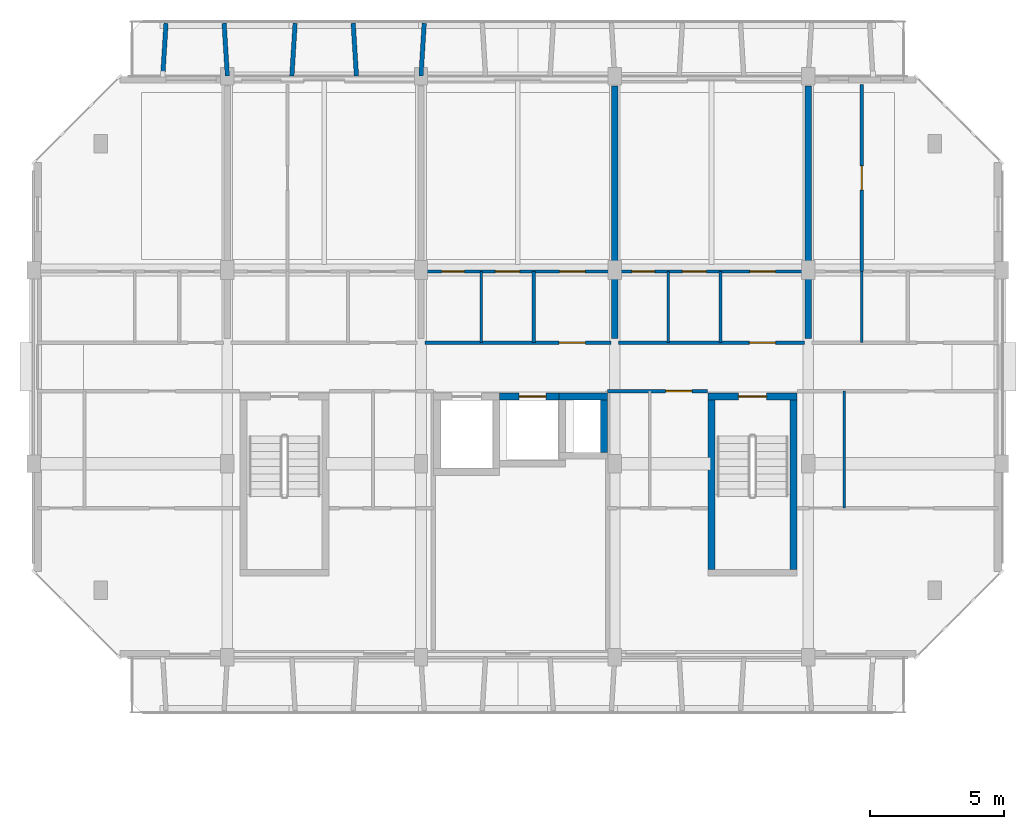
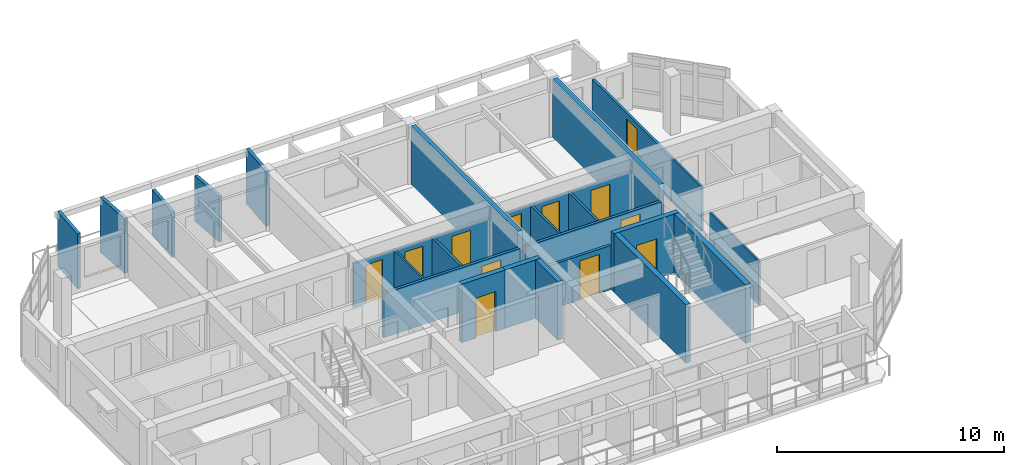
# One storey, part 19 of 43: 25 walls, 12 doors, 12 openings.
"""IFC4 building model written with IfcOpenShell, lengths in metres."""

import ifcopenshell
import ifcopenshell.guid

model = None  # the IFC model being written
_history = None  # IfcOwnerHistory: only IFC2X3 demands one
_inside = {}  # id of a spatial element -> (the spatial element, [elements in it])
_under = {}  # id of a project, library or spatial element -> (it, [spatial elements below it])
_declared = {}  # id of a project -> (the project, [libraries it declares])
_typed = {}  # id of a type object -> (the type object, [elements of that type])
_made_of = {}  # id of a material, layer set ... -> (it, [elements and type objects made of it])


def new_model(schema):
    """Start an empty IFC model of exactly this schema.

    Asked for "IFC4X3", IfcOpenShell would pick the latest addendum, in which some entities
    have other attributes; the version numbers below select the first issue.
    IFC2X3 requires an IfcOwnerHistory on every rooted entity: one is made here for all.
    """
    global model, _history
    if schema == "IFC4X3":
        model = ifcopenshell.file(schema_version=(4, 3, 0, 0))
    else:
        model = ifcopenshell.file(schema=schema)
    _inside.clear()
    _under.clear()
    _declared.clear()
    _typed.clear()
    _made_of.clear()
    _history = None
    if model.schema == "IFC2X3":
        org = make("IfcOrganization", Name="unknown")
        user = make(
            "IfcPersonAndOrganization",
            ThePerson=make("IfcPerson", FamilyName="unknown"),
            TheOrganization=org,
        )
        app = make(
            "IfcApplication",
            ApplicationDeveloper=org,
            Version="unknown",
            ApplicationFullName="unknown",
            ApplicationIdentifier="unknown",
        )
        _history = make(
            "IfcOwnerHistory",
            OwningUser=user,
            OwningApplication=app,
            ChangeAction="ADDED",
            CreationDate=0,
        )
    return model


def make(cls, **values):
    """One entity of the class cls with the attributes given. An attribute that is None is left unset."""
    return model.create_entity(
        cls, **{name: value for name, value in values.items() if value is not None}
    )


def rooted(cls, **values):
    """An entity with a GlobalId (a new one), such as an element, a storey or a relation."""
    return make(cls, GlobalId=ifcopenshell.guid.new(), OwnerHistory=_history, **values)


def si_unit(unit_type, name, prefix=None):
    """IfcSIUnit, for example si_unit("LENGTHUNIT", "METRE", prefix="MILLI")."""
    return make("IfcSIUnit", UnitType=unit_type, Prefix=prefix, Name=name)


def assignment(units):
    """IfcUnitAssignment: the units of a project."""
    return None if units is None else make("IfcUnitAssignment", Units=units)


def point(xyz):
    """IfcCartesianPoint."""
    return None if xyz is None else make("IfcCartesianPoint", Coordinates=xyz)


def direction(xyz):
    """IfcDirection."""
    return None if xyz is None else make("IfcDirection", DirectionRatios=xyz)


def frame(location, z_axis=None, x_axis=None):
    """IfcAxis2Placement3D, a coordinate frame: its origin and axes. An axis left out is left unset."""
    return make(
        "IfcAxis2Placement3D",
        Location=point(location),
        Axis=direction(z_axis),
        RefDirection=direction(x_axis),
    )


def frame_2d(location, x_axis=None):
    """IfcAxis2Placement2D, a coordinate frame in the plane: its origin and x axis."""
    return make(
        "IfcAxis2Placement2D", Location=point(location), RefDirection=direction(x_axis)
    )


def origin():
    """The frame at (0, 0, 0) with its axes left unset."""
    return frame((0.0, 0.0, 0.0))


def place(relative_to, where):
    """IfcLocalPlacement: puts the frame where relative to a parent placement (None: the world)."""
    return make(
        "IfcLocalPlacement", PlacementRelTo=relative_to, RelativePlacement=where
    )


def context(
    kind, dimensions, precision=None, world=None, true_north=None, identifier=None
):
    """IfcGeometricRepresentationContext, for example the 3D "Model" context."""
    return make(
        "IfcGeometricRepresentationContext",
        ContextIdentifier=identifier,
        ContextType=kind,
        CoordinateSpaceDimension=dimensions,
        Precision=precision,
        WorldCoordinateSystem=world,
        TrueNorth=true_north,
    )


def subcontext(parent, identifier, kind, view, scale=None):
    """IfcGeometricRepresentationSubContext, for example "Body" below "Model"."""
    return make(
        "IfcGeometricRepresentationSubContext",
        ContextIdentifier=identifier,
        ContextType=kind,
        ParentContext=parent,
        TargetScale=scale,
        TargetView=view,
    )


def project(units=None, contexts=None):
    """IfcProject with its units and contexts."""
    return rooted(
        "IfcProject",
        Name="project",
        RepresentationContexts=contexts,
        UnitsInContext=assignment(units),
    )


def spatial(cls, under=None, at=None, **own):
    """A site, building, storey or space (cls), placed at a placement, below another one or the project."""
    s = rooted(cls, ObjectPlacement=at, **own)
    if under is not None:
        _under.setdefault(under.id(), (under, []))[1].append(s)
    return s


def profile(cls, at=None, kind="AREA", **sizes):
    """A parametric profile (cls). Its sizes go by their IFC names, for example OverallWidth=200.0."""
    return make(cls, ProfileType=kind, Position=at, **sizes)


def rectangle(**sizes):
    """IfcRectangleProfileDef."""
    return profile("IfcRectangleProfileDef", **sizes)


def extrude(swept, where, along, depth):
    """IfcExtrudedAreaSolid: the profile swept, set in the frame where, extruded along a direction by depth."""
    return make(
        "IfcExtrudedAreaSolid",
        SweptArea=swept,
        Position=where,
        ExtrudedDirection=direction(along),
        Depth=depth,
    )


def shape(context_of_items, identifier, shape_type, items):
    """IfcShapeRepresentation: the items that make up one representation, for example the "Body"."""
    return make(
        "IfcShapeRepresentation",
        ContextOfItems=context_of_items,
        RepresentationIdentifier=identifier,
        RepresentationType=shape_type,
        Items=items,
    )


def material(Name=None, Category=None):
    """IfcMaterial."""
    return make("IfcMaterial", Name=Name, Category=Category)


def layer(
    of_material, thickness, ventilated=None, Name=None, Category=None, Priority=None
):
    """IfcMaterialLayer: one layer of a wall or slab, of a material (None: an air gap)."""
    return make(
        "IfcMaterialLayer",
        Material=of_material,
        LayerThickness=thickness,
        IsVentilated=ventilated,
        Name=Name,
        Category=Category,
        Priority=Priority,
    )


def layer_set(layers, Name=None):
    """IfcMaterialLayerSet."""
    return make("IfcMaterialLayerSet", MaterialLayers=layers, LayerSetName=Name)


def made_of(thing, what):
    """Note that an element or type object is made of a material, layer set ...; save() writes the relation."""
    if what is not None:
        _made_of.setdefault(what.id(), (what, []))[1].append(thing)
    return thing


def type_object(cls, material=None, **own):
    """A type object (cls), such as IfcWallType, which elements share."""
    return made_of(rooted(cls, **own), material)


def element(
    cls,
    number,
    at=None,
    inside=None,
    cuts=None,
    type_object=None,
    material=None,
    context=None,
    identifier="Body",
    shape_type=None,
    held_by="IfcProductDefinitionShape",
    body=None,
    shapes=None,
    **own,
):
    """One element of the class cls, such as IfcWall. Its Tag is "e" and its number.

    at: its placement. inside: the storey or other place that contains it. cuts: it is an
    opening in that element (IfcRelVoidsElement). A single representation is given by context,
    identifier, shape_type and body (its items); several are given by shapes. held_by: the class
    of the entity that holds the representations. save() writes the other relations.
    """
    e = rooted(cls, Tag="e%d" % number, ObjectPlacement=at, **own)
    if body is not None:
        shapes = [shape(context, identifier, shape_type, body)]
    if shapes is not None:
        e.Representation = make(held_by, Representations=shapes)
    if inside is not None:
        _inside.setdefault(inside.id(), (inside, []))[1].append(e)
    if cuts is not None:
        rooted(
            "IfcRelVoidsElement", RelatingBuildingElement=cuts, RelatedOpeningElement=e
        )
    if type_object is not None:
        _typed.setdefault(type_object.id(), (type_object, []))[1].append(e)
    return made_of(e, material)


def fill(opening, filler):
    """IfcRelFillsElement: the door or window that sits in an opening."""
    return rooted(
        "IfcRelFillsElement",
        RelatingOpeningElement=opening,
        RelatedBuildingElement=filler,
    )


def aggregate(whole, parts):
    """IfcRelAggregates: a whole, such as a stair, and the parts it consists of."""
    return rooted("IfcRelAggregates", RelatingObject=whole, RelatedObjects=parts)


def save(model, path):
    """Write the relations noted so far, then the file.

    IfcRelAggregates (storeys below a building ...), IfcRelContainedInSpatialStructure (elements
    in a storey), IfcRelDefinesByType, IfcRelAssociatesMaterial and IfcRelDeclares: one each for
    every whole, place, type object, material and project.
    """
    for whole, parts in _under.values():
        aggregate(whole, parts)
    for where, things in _inside.values():
        rooted(
            "IfcRelContainedInSpatialStructure",
            RelatedElements=things,
            RelatingStructure=where,
        )
    for kind, things in _typed.values():
        rooted("IfcRelDefinesByType", RelatedObjects=things, RelatingType=kind)
    for what, things in _made_of.values():
        rooted("IfcRelAssociatesMaterial", RelatedObjects=things, RelatingMaterial=what)
    for by, libraries in _declared.values():
        rooted("IfcRelDeclares", RelatingContext=by, RelatedDefinitions=libraries)
    model.write(path)


model = new_model("IFC4")

# Units and contexts
model_context = context("Model", 3, precision=1e-05, world=origin(), true_north=direction((0.0, 1.0)))
body_context = subcontext(model_context, "Body", "Model", "MODEL_VIEW")
ifc_project = project(units=[si_unit("LENGTHUNIT", "METRE"), si_unit("AREAUNIT", "SQUARE_METRE"), si_unit("VOLUMEUNIT", "CUBIC_METRE"), si_unit("PLANEANGLEUNIT", "RADIAN"), si_unit("MASSUNIT", "GRAM", prefix="KILO")], contexts=[model_context])

# Site, building, storey
site_placement = place(None, origin())
site = spatial("IfcSite", under=ifc_project, at=site_placement, CompositionType="ELEMENT")
building_placement = place(site_placement, origin())
building = spatial("IfcBuilding", under=site, at=building_placement, Name="Ochrevale Crest", CompositionType="ELEMENT")
storey_placement = place(building_placement, frame((0.0, 0.0, 15.0)))
storey = spatial("IfcBuildingStorey", under=building, at=storey_placement, Name="L04", CompositionType="ELEMENT", Elevation=15.0)

# Wall, opening, door
ifc_material_1 = material(Name="Gypsum plasterboard", Category="gypsum")
ifc_layer_1 = layer(ifc_material_1, 0.139892578125)
ifc_layer_set_1 = layer_set([ifc_layer_1], Name="Gypsum plasterboard")
wall_type_1 = type_object("IfcWallType", Name="WL-COR-140", PredefinedType="PARTITIONING", material=ifc_layer_set_1)
wall_1_placement = place(storey_placement, frame((14.5400390625, 83.699951171875, 0.0), z_axis=(0.0, 0.0, 1.0), x_axis=(1.0, 0.0, 0.0)))
wall_1 = element("IfcWall", 1, at=wall_1_placement, inside=storey, type_object=wall_type_1, Name="Apartment B-L04-U3 corridor wall", PredefinedType="PARTITIONING", context=body_context, shape_type="SweptSolid", body=[
    extrude(rectangle(XDim=6.919921875, YDim=0.139892578125, at=frame_2d((3.4599609375, 0.0))), origin(), (0.0, 0.0, 1.0), 2.3798828125),
])
opening_1_placement = place(wall_1_placement, frame((5.97509765625, 0.0, 0.0), z_axis=(0.0, 0.0, 1.0), x_axis=(-1.0, 0.0, 0.0)))
opening_1 = element("IfcOpeningElement", 2, at=opening_1_placement, cuts=wall_1, Name="Opening FD01", PredefinedType="OPENING", context=body_context, shape_type="SweptSolid", body=[
    extrude(rectangle(XDim=0.97998046875, YDim=2.10009765625, at=frame_2d((0.489990234375, 1.050048828125))), frame((0.0, 0.080078125, 0.0), z_axis=(0.0, -1.0, 0.0), x_axis=(1.0, 0.0, 0.0)), (0.0, 0.0, 1.0), 0.159912109375),
])
ifc_material_2 = material(Name="Solid-core FSC hardwood", Category="wood")
door_type_1 = type_object("IfcDoorType", Name="DR-APT-950", OperationType="NOTDEFINED", PredefinedType="DOOR", material=ifc_material_2)
door_1_placement = place(opening_1_placement, origin())
door_1 = element("IfcDoor", 3, at=door_1_placement, inside=storey, type_object=door_type_1, Name="Apartment B-L04-U3 entrance door", OperationType="SINGLE_SWING_RIGHT", OverallHeight=2.10009765625, OverallWidth=0.97998046875, PredefinedType="DOOR", context=body_context, shape_type="SweptSolid", body=[
    extrude(rectangle(XDim=0.97998046875, YDim=2.10009765625, at=frame_2d((0.489990234375, 1.050048828125))), frame((0.0, 0.02490234375, 0.0), z_axis=(0.0, -1.0, 0.0), x_axis=(1.0, 0.0, 0.0)), (0.0, 0.0, 1.0), 0.050048828125),
])
fill(opening_1, door_1)

wall_2_placement = place(storey_placement, frame((21.739990234375, 83.699951171875, 0.0), z_axis=(0.0, 0.0, 1.0), x_axis=(1.0, 0.0, 0.0)))
wall_2 = element("IfcWall", 4, at=wall_2_placement, inside=storey, type_object=wall_type_1, Name="Apartment B-L04-U4 corridor wall", PredefinedType="PARTITIONING", context=body_context, shape_type="SweptSolid", body=[
    extrude(rectangle(XDim=6.919921875, YDim=0.139892578125, at=frame_2d((3.4599609375, 0.0))), origin(), (0.0, 0.0, 1.0), 2.3798828125),
])
opening_2_placement = place(wall_2_placement, frame((5.85009765625, 0.0, 0.0), z_axis=(0.0, 0.0, 1.0), x_axis=(-1.0, 0.0, 0.0)))
opening_2 = element("IfcOpeningElement", 5, at=opening_2_placement, cuts=wall_2, Name="Opening FD01", PredefinedType="OPENING", context=body_context, shape_type="SweptSolid", body=[
    extrude(rectangle(XDim=0.97998046875, YDim=2.10009765625, at=frame_2d((0.489990234375, 1.050048828125))), frame((0.0, 0.080078125, 0.0), z_axis=(0.0, -1.0, 0.0), x_axis=(1.0, 0.0, 0.0)), (0.0, 0.0, 1.0), 0.159912109375),
])
door_2_placement = place(opening_2_placement, origin())
door_2 = element("IfcDoor", 6, at=door_2_placement, inside=storey, type_object=door_type_1, Name="Apartment B-L04-U4 entrance door", OperationType="SINGLE_SWING_RIGHT", OverallHeight=2.10009765625, OverallWidth=0.97998046875, PredefinedType="DOOR", context=body_context, shape_type="SweptSolid", body=[
    extrude(rectangle(XDim=0.97998046875, YDim=2.10009765625, at=frame_2d((0.489990234375, 1.050048828125))), frame((0.0, 0.02490234375, 0.0), z_axis=(0.0, -1.0, 0.0), x_axis=(1.0, 0.0, 0.0)), (0.0, 0.0, 1.0), 0.050048828125),
])
fill(opening_2, door_2)

wall_3_placement = place(storey_placement, frame((21.340087890625, 81.89990234375, 0.0), z_axis=(0.0, 0.0, 1.0), x_axis=(1.0, 0.0, 0.0)))
wall_3 = element("IfcWall", 7, at=wall_3_placement, inside=storey, type_object=wall_type_1, Name="Suite B-L04-ME corridor wall", PredefinedType="PARTITIONING", context=body_context, shape_type="SweptSolid", body=[
    extrude(rectangle(XDim=3.719970703125, YDim=0.139892578125, at=frame_2d((1.85986328125, 0.0))), origin(), (0.0, 0.0, 1.0), 2.3798828125),
])
opening_3_placement = place(wall_3_placement, frame((2.151123046875, 0.0, 0.0)))
opening_3 = element("IfcOpeningElement", 8, at=opening_3_placement, cuts=wall_3, Name="Opening FD01", PredefinedType="OPENING", context=body_context, shape_type="SweptSolid", body=[
    extrude(rectangle(XDim=0.97998046875, YDim=2.10009765625, at=frame_2d((0.489990234375, 1.050048828125))), frame((0.0, 0.080078125, 0.0), z_axis=(0.0, -1.0, 0.0), x_axis=(1.0, 0.0, 0.0)), (0.0, 0.0, 1.0), 0.159912109375),
])
door_3_placement = place(opening_3_placement, origin())
door_3 = element("IfcDoor", 9, at=door_3_placement, inside=storey, type_object=door_type_1, Name="Suite B-L04-ME entrance door", OperationType="SINGLE_SWING_LEFT", OverallHeight=2.10009765625, OverallWidth=0.97998046875, PredefinedType="DOOR", context=body_context, shape_type="SweptSolid", body=[
    extrude(rectangle(XDim=0.97998046875, YDim=2.10009765625, at=frame_2d((0.489990234375, 1.050048828125))), frame((0.0, 0.02490234375, 0.0), z_axis=(0.0, -1.0, 0.0), x_axis=(1.0, 0.0, 0.0)), (0.0, 0.0, 1.0), 0.050048828125),
])
fill(opening_3, door_3)

ifc_material_3 = material(Name="Precast concrete C50/60", Category="concrete")
ifc_layer_2 = layer(ifc_material_3, 0.2548828125)
ifc_layer_set_2 = layer_set([ifc_layer_2], Name="Precast concrete C50/60")
wall_type_2 = type_object("IfcWallType", Name="WL-CORE-255", PredefinedType="SHEAR", material=ifc_layer_set_2)
wall_4_placement = place(storey_placement, frame((25.072509765625, 81.699951171875, 0.0), z_axis=(0.0, 0.0, 1.0), x_axis=(1.0, 0.0, 0.0)))
wall_4 = element("IfcWall", 10, at=wall_4_placement, inside=storey, type_object=wall_type_2, Name="Block B L04 Stair 2 precast core shear wall N", PredefinedType="SHEAR", context=body_context, shape_type="SweptSolid", body=[
    extrude(rectangle(XDim=3.304931640625, YDim=0.2548828125, at=frame_2d((1.65234375, 0.0))), origin(), (0.0, 0.0, 1.0), 3.14990234375),
])
opening_4_placement = place(wall_4_placement, frame((1.12744140625, 0.0, 0.0)))
opening_4 = element("IfcOpeningElement", 11, at=opening_4_placement, cuts=wall_4, Name="Opening FD03", PredefinedType="OPENING", context=body_context, shape_type="SweptSolid", body=[
    extrude(rectangle(XDim=1.050048828125, YDim=2.1201171875, at=frame_2d((0.52490234375, 1.06005859375))), frame((0.0, 0.137451171875, 0.0), z_axis=(0.0, -1.0, 0.0), x_axis=(1.0, 0.0, 0.0)), (0.0, 0.0, 1.0), 0.27490234375),
])
door_type_2 = type_object("IfcDoorType", Name="DR-ST-1050", OperationType="NOTDEFINED", PredefinedType="DOOR", material=ifc_material_2)
door_4_placement = place(opening_4_placement, origin())
door_4 = element("IfcDoor", 12, at=door_4_placement, inside=storey, type_object=door_type_2, Name="Block B L04 fire stair 2 door", OperationType="SINGLE_SWING_LEFT", OverallHeight=2.1201171875, OverallWidth=1.050048828125, PredefinedType="DOOR", context=body_context, shape_type="SweptSolid", body=[
    extrude(rectangle(XDim=1.050048828125, YDim=2.1201171875, at=frame_2d((0.52490234375, 1.06005859375))), frame((0.0, 0.02490234375, 0.0), z_axis=(0.0, -1.0, 0.0), x_axis=(1.0, 0.0, 0.0)), (0.0, 0.0, 1.0), 0.050048828125),
])
fill(opening_4, door_4)

# Walls
for number, where, z_axis, x_axis, name in (
    (13, (25.199951171875, 75.277587890625, 0.0), (0.0, 0.0, 1.0), (0.0, 1.0, 0.0), "Block B L04 Stair 2 precast core shear wall W"),
    (14, (28.25, 75.277587890625, 0.0), (0.0, 0.0, 1.0), (0.0, 1.0, 0.0), "Block B L04 Stair 2 precast core shear wall E"),
):
    element("IfcWall", number, at=place(storey_placement, frame(where, z_axis=z_axis, x_axis=x_axis)), inside=storey, type_object=wall_type_2, Name=name, PredefinedType="SHEAR", context=body_context, shape_type="SweptSolid", body=[
        extrude(rectangle(XDim=6.294921875, YDim=0.2548828125, at=frame_2d((3.1474609375, 0.0))), origin(), (0.0, 0.0, 1.0), 3.14990234375),
    ])

# Wall, opening, door
wall_5_placement = place(storey_placement, frame((17.322509765625, 81.699951171875, 0.0), z_axis=(0.0, 0.0, 1.0), x_axis=(1.0, 0.0, 0.0)))
wall_5 = element("IfcWall", 15, at=wall_5_placement, inside=storey, type_object=wall_type_2, Name="Block B L04 Lift 2 precast shaft shear wall N", PredefinedType="SHEAR", context=body_context, shape_type="SweptSolid", body=[
    extrude(rectangle(XDim=2.455078125, YDim=0.2548828125, at=frame_2d((1.2275390625, 0.0))), origin(), (0.0, 0.0, 1.0), 3.14990234375),
])
opening_5_placement = place(wall_5_placement, frame((0.7275390625, 0.0, 0.0)))
opening_5 = element("IfcOpeningElement", 16, at=opening_5_placement, cuts=wall_5, Name="Opening LD02", PredefinedType="OPENING", context=body_context, shape_type="SweptSolid", body=[
    extrude(rectangle(XDim=1.0, YDim=2.14990234375, at=frame_2d((0.5, 1.074951171875))), frame((0.0, 0.137451171875, 0.0), z_axis=(0.0, -1.0, 0.0), x_axis=(1.0, 0.0, 0.0)), (0.0, 0.0, 1.0), 0.27490234375),
])
door_type_3 = type_object("IfcDoorType", Name="DR-LIFT-1000", OperationType="NOTDEFINED", PredefinedType="DOOR", material=ifc_material_2)
door_5_placement = place(opening_5_placement, origin())
door_5 = element("IfcDoor", 17, at=door_5_placement, inside=storey, type_object=door_type_3, Name="Lift LP-B2 L04 sliding landing door", OperationType="SLIDING_TO_RIGHT", OverallHeight=2.14990234375, OverallWidth=1.0, PredefinedType="DOOR", context=body_context, shape_type="SweptSolid", body=[
    extrude(rectangle(XDim=1.0, YDim=2.14990234375, at=frame_2d((0.5, 1.074951171875))), frame((0.0, 0.02490234375, 0.0), z_axis=(0.0, -1.0, 0.0), x_axis=(1.0, 0.0, 0.0)), (0.0, 0.0, 1.0), 0.050048828125),
])
fill(opening_5, door_5)

# Walls
wall_6_placement = place(storey_placement, frame((19.5224609375, 81.699951171875, 0.0), z_axis=(0.0, 0.0, 1.0), x_axis=(1.0, 0.0, 0.0)))
element("IfcWall", 18, at=wall_6_placement, inside=storey, type_object=wall_type_2, Name="Block B L04 services riser shaft core wall N", PredefinedType="SHEAR", context=body_context, shape_type="SweptSolid", body=[
    extrude(rectangle(XDim=1.804931640625, YDim=0.2548828125, at=frame_2d((0.90234375, 0.0))), origin(), (0.0, 0.0, 1.0), 3.14990234375),
])
wall_7_placement = place(storey_placement, frame((21.199951171875, 79.62744140625, 0.0), z_axis=(0.0, 0.0, 1.0), x_axis=(0.0, 1.0, 0.0)))
element("IfcWall", 19, at=wall_7_placement, inside=storey, type_object=wall_type_2, Name="Block B L04 services riser shaft core wall E", PredefinedType="SHEAR", context=body_context, shape_type="SweptSolid", body=[
    extrude(rectangle(XDim=1.945068359375, YDim=0.2548828125, at=frame_2d((0.97265625, 0.0))), origin(), (0.0, 0.0, 1.0), 3.14990234375),
])
ifc_material_4 = material(Name="Precast concrete C40/50", Category="concrete")
ifc_layer_3 = layer(ifc_material_4, 0.1650390625)
ifc_layer_set_3 = layer_set([ifc_layer_3], Name="Precast concrete C40/50")
wall_type_3 = type_object("IfcWallType", Name="WL-HC-CHEEK-165", PredefinedType="ELEMENTEDWALL", material=ifc_layer_set_3)
for number, where, z_axis, x_axis, name in (
    (20, (4.800048828125, 93.6201171875, 0.0), (0.0, 0.0, 1.0), (0.061046865508, 0.998134900808, 0.0), "Block B L04 N precast honeycomb cheek 1"),
    (21, (7.199951171875, 93.6201171875, 0.0), (0.0, 0.0, 1.0), (-0.061046865508, 0.998134900808, 0.0), "Block B L04 N precast honeycomb cheek 2"),
):
    element("IfcWall", number, at=place(storey_placement, frame(where, z_axis=z_axis, x_axis=x_axis)), inside=storey, type_object=wall_type_3, Name=name, PredefinedType="ELEMENTEDWALL", context=body_context, shape_type="SweptSolid", body=[
        extrude(rectangle(XDim=1.963623046875, YDim=0.1650390625, at=frame_2d((0.98193359375, 0.0))), origin(), (0.0, 0.0, 1.0), 2.949951171875),
    ])
for number, where, z_axis, x_axis, name in (
    (22, (9.60009765625, 93.6201171875, 0.0), (0.0, 0.0, 1.0), (0.061046865508, 0.998134900808, 0.0), "Block B L04 N precast honeycomb cheek 3"),
    (23, (12.0, 93.6201171875, 0.0), (0.0, 0.0, 1.0), (-0.061170732449, 0.998127317276, 0.0), "Block B L04 N precast honeycomb cheek 4"),
):
    element("IfcWall", number, at=place(storey_placement, frame(where, z_axis=z_axis, x_axis=x_axis)), inside=storey, type_object=wall_type_3, Name=name, PredefinedType="ELEMENTEDWALL", context=body_context, shape_type="SweptSolid", body=[
        extrude(rectangle(XDim=1.963623046875, YDim=0.1650390625, at=frame_2d((0.98193359375, 0.0))), origin(), (0.0, 0.0, 1.0), 2.449951171875),
    ])
wall_8_placement = place(storey_placement, frame((14.39990234375, 93.6201171875, 0.0), z_axis=(0.0, 0.0, 1.0), x_axis=(0.061170732449, 0.998127317276, 0.0)))
element("IfcWall", 24, at=wall_8_placement, inside=storey, type_object=wall_type_3, Name="Block B L04 N precast honeycomb cheek 5", PredefinedType="ELEMENTEDWALL", context=body_context, shape_type="SweptSolid", body=[
    extrude(rectangle(XDim=1.963623046875, YDim=0.1650390625, at=frame_2d((0.98193359375, 0.0))), origin(), (0.0, 0.0, 1.0), 2.949951171875),
])
ifc_layer_4 = layer(ifc_material_1, 0.1201171875)
ifc_layer_set_4 = layer_set([ifc_layer_4], Name="Gypsum plasterboard")
wall_type_4 = type_object("IfcWallType", Name="WL-PART-120", PredefinedType="PARTITIONING", material=ifc_layer_set_4)
wall_9_placement = place(storey_placement, frame((18.590087890625, 83.699951171875, 0.0), z_axis=(0.0, 0.0, 1.0), x_axis=(0.0, 1.0, 0.0)))
element("IfcWall", 25, at=wall_9_placement, inside=storey, type_object=wall_type_4, Name="Apartment B-L04-U3 kitchen-foyer wall", PredefinedType="PARTITIONING", context=body_context, shape_type="SweptSolid", body=[
    extrude(rectangle(XDim=2.650146484375, YDim=0.1201171875, at=frame_2d((1.3251953125, 0.0))), origin(), (0.0, 0.0, 1.0), 2.375),
])

# Wall, openings, doors
wall_10_placement = place(storey_placement, frame((14.5400390625, 86.35009765625, 0.0), z_axis=(0.0, 0.0, 1.0), x_axis=(1.0, 0.0, 0.0)))
wall_10 = element("IfcWall", 26, at=wall_10_placement, inside=storey, type_object=wall_type_4, Name="Apartment B-L04-U3 central partition", PredefinedType="PARTITIONING", context=body_context, shape_type="SweptSolid", body=[
    extrude(rectangle(XDim=6.919921875, YDim=0.1201171875, at=frame_2d((3.4599609375, 0.0))), origin(), (0.0, 0.0, 1.0), 2.375),
])
opening_6_placement = place(wall_10_placement, frame((0.625, 0.0, 0.0)))
opening_6 = element("IfcOpeningElement", 27, at=opening_6_placement, cuts=wall_10, Name="Opening ID01", PredefinedType="OPENING", context=body_context, shape_type="SweptSolid", body=[
    extrude(rectangle(XDim=0.85009765625, YDim=2.080078125, at=frame_2d((0.425048828125, 1.0400390625))), frame((0.0, 0.070068359375, 0.0), z_axis=(0.0, -1.0, 0.0), x_axis=(1.0, 0.0, 0.0)), (0.0, 0.0, 1.0), 0.14013671875),
])
opening_7_placement = place(wall_10_placement, frame((3.52490234375, 0.0, 0.0), z_axis=(0.0, 0.0, 1.0), x_axis=(-1.0, 0.0, 0.0)))
opening_7 = element("IfcOpeningElement", 28, at=opening_7_placement, cuts=wall_10, Name="Opening ID02", PredefinedType="OPENING", context=body_context, shape_type="SweptSolid", body=[
    extrude(rectangle(XDim=0.89990234375, YDim=2.080078125, at=frame_2d((0.449951171875, 1.0400390625))), frame((0.0, 0.070068359375, 0.0), z_axis=(0.0, -1.0, 0.0), x_axis=(1.0, 0.0, 0.0)), (0.0, 0.0, 1.0), 0.14013671875),
])
opening_8_placement = place(wall_10_placement, frame((5.010009765625, 0.0, 0.0)))
opening_8 = element("IfcOpeningElement", 29, at=opening_8_placement, cuts=wall_10, Name="Opening ID06", PredefinedType="OPENING", context=body_context, shape_type="SweptSolid", body=[
    extrude(rectangle(XDim=0.949951171875, YDim=2.080078125, at=frame_2d((0.47509765625, 1.0400390625))), frame((0.0, 0.070068359375, 0.0), z_axis=(0.0, -1.0, 0.0), x_axis=(1.0, 0.0, 0.0)), (0.0, 0.0, 1.0), 0.14013671875),
])
door_type_4 = type_object("IfcDoorType", Name="DR-INT-900", OperationType="NOTDEFINED", PredefinedType="DOOR", material=ifc_material_2)
door_6_placement = place(opening_7_placement, origin())
door_6 = element("IfcDoor", 30, at=door_6_placement, inside=storey, type_object=door_type_4, Name="Apartment B-L04-U3 Kitchen door", OperationType="SINGLE_SWING_RIGHT", OverallHeight=2.080078125, OverallWidth=0.89990234375, PredefinedType="DOOR", context=body_context, shape_type="SweptSolid", body=[
    extrude(rectangle(XDim=0.89990234375, YDim=2.080078125, at=frame_2d((0.449951171875, 1.0400390625))), frame((0.0, 0.02490234375, 0.0), z_axis=(0.0, -1.0, 0.0), x_axis=(1.0, 0.0, 0.0)), (0.0, 0.0, 1.0), 0.050048828125),
])
fill(opening_7, door_6)
door_type_5 = type_object("IfcDoorType", Name="DR-INT-950", OperationType="NOTDEFINED", PredefinedType="DOOR", material=ifc_material_2)
door_7_placement = place(opening_8_placement, origin())
door_7 = element("IfcDoor", 31, at=door_7_placement, inside=storey, type_object=door_type_5, Name="Apartment B-L04-U3 Living Foyer door", OperationType="SINGLE_SWING_LEFT", OverallHeight=2.080078125, OverallWidth=0.949951171875, PredefinedType="DOOR", context=body_context, shape_type="SweptSolid", body=[
    extrude(rectangle(XDim=0.949951171875, YDim=2.080078125, at=frame_2d((0.47509765625, 1.0400390625))), frame((0.0, 0.02490234375, 0.0), z_axis=(0.0, -1.0, 0.0), x_axis=(1.0, 0.0, 0.0)), (0.0, 0.0, 1.0), 0.050048828125),
])
fill(opening_8, door_7)
door_type_6 = type_object("IfcDoorType", Name="DR-WC-850", OperationType="NOTDEFINED", PredefinedType="DOOR", material=ifc_material_2)
door_8_placement = place(opening_6_placement, origin())
door_8 = element("IfcDoor", 32, at=door_8_placement, inside=storey, type_object=door_type_6, Name="Apartment B-L04-U3 Bathroom door", OperationType="SINGLE_SWING_LEFT", OverallHeight=2.080078125, OverallWidth=0.85009765625, PredefinedType="DOOR", context=body_context, shape_type="SweptSolid", body=[
    extrude(rectangle(XDim=0.85009765625, YDim=2.080078125, at=frame_2d((0.425048828125, 1.0400390625))), frame((0.0, 0.02490234375, 0.0), z_axis=(0.0, -1.0, 0.0), x_axis=(1.0, 0.0, 0.0)), (0.0, 0.0, 1.0), 0.050048828125),
])
fill(opening_6, door_8)

# Wall
wall_11_placement = place(storey_placement, frame((25.5400390625, 83.699951171875, 0.0), z_axis=(0.0, 0.0, 1.0), x_axis=(0.0, 1.0, 0.0)))
element("IfcWall", 33, at=wall_11_placement, inside=storey, type_object=wall_type_4, Name="Apartment B-L04-U4 kitchen-foyer wall", PredefinedType="PARTITIONING", context=body_context, shape_type="SweptSolid", body=[
    extrude(rectangle(XDim=2.650146484375, YDim=0.1201171875, at=frame_2d((1.3251953125, 0.0))), origin(), (0.0, 0.0, 1.0), 2.375),
])

# Wall, openings, doors
wall_12_placement = place(storey_placement, frame((21.739990234375, 86.35009765625, 0.0), z_axis=(0.0, 0.0, 1.0), x_axis=(1.0, 0.0, 0.0)))
wall_12 = element("IfcWall", 34, at=wall_12_placement, inside=storey, type_object=wall_type_4, Name="Apartment B-L04-U4 central partition", PredefinedType="PARTITIONING", context=body_context, shape_type="SweptSolid", body=[
    extrude(rectangle(XDim=6.919921875, YDim=0.1201171875, at=frame_2d((3.4599609375, 0.0))), origin(), (0.0, 0.0, 1.0), 2.375),
])
opening_9_placement = place(wall_12_placement, frame((0.5, 0.0, 0.0)))
opening_9 = element("IfcOpeningElement", 35, at=opening_9_placement, cuts=wall_12, Name="Opening ID01", PredefinedType="OPENING", context=body_context, shape_type="SweptSolid", body=[
    extrude(rectangle(XDim=0.85009765625, YDim=2.080078125, at=frame_2d((0.425048828125, 1.0400390625))), frame((0.0, 0.070068359375, 0.0), z_axis=(0.0, -1.0, 0.0), x_axis=(1.0, 0.0, 0.0)), (0.0, 0.0, 1.0), 0.14013671875),
])
opening_10_placement = place(wall_12_placement, frame((3.27490234375, 0.0, 0.0), z_axis=(0.0, 0.0, 1.0), x_axis=(-1.0, 0.0, 0.0)))
opening_10 = element("IfcOpeningElement", 36, at=opening_10_placement, cuts=wall_12, Name="Opening ID02", PredefinedType="OPENING", context=body_context, shape_type="SweptSolid", body=[
    extrude(rectangle(XDim=0.89990234375, YDim=2.080078125, at=frame_2d((0.449951171875, 1.0400390625))), frame((0.0, 0.070068359375, 0.0), z_axis=(0.0, -1.0, 0.0), x_axis=(1.0, 0.0, 0.0)), (0.0, 0.0, 1.0), 0.14013671875),
])
opening_11_placement = place(wall_12_placement, frame((4.885009765625, 0.0, 0.0)))
opening_11 = element("IfcOpeningElement", 37, at=opening_11_placement, cuts=wall_12, Name="Opening ID06", PredefinedType="OPENING", context=body_context, shape_type="SweptSolid", body=[
    extrude(rectangle(XDim=0.949951171875, YDim=2.080078125, at=frame_2d((0.47509765625, 1.0400390625))), frame((0.0, 0.070068359375, 0.0), z_axis=(0.0, -1.0, 0.0), x_axis=(1.0, 0.0, 0.0)), (0.0, 0.0, 1.0), 0.14013671875),
])
door_9_placement = place(opening_10_placement, origin())
door_9 = element("IfcDoor", 38, at=door_9_placement, inside=storey, type_object=door_type_4, Name="Apartment B-L04-U4 Kitchen door", OperationType="SINGLE_SWING_RIGHT", OverallHeight=2.080078125, OverallWidth=0.89990234375, PredefinedType="DOOR", context=body_context, shape_type="SweptSolid", body=[
    extrude(rectangle(XDim=0.89990234375, YDim=2.080078125, at=frame_2d((0.449951171875, 1.0400390625))), frame((0.0, 0.02490234375, 0.0), z_axis=(0.0, -1.0, 0.0), x_axis=(1.0, 0.0, 0.0)), (0.0, 0.0, 1.0), 0.050048828125),
])
fill(opening_10, door_9)
door_10_placement = place(opening_11_placement, origin())
door_10 = element("IfcDoor", 39, at=door_10_placement, inside=storey, type_object=door_type_5, Name="Apartment B-L04-U4 Living Foyer door", OperationType="SINGLE_SWING_LEFT", OverallHeight=2.080078125, OverallWidth=0.949951171875, PredefinedType="DOOR", context=body_context, shape_type="SweptSolid", body=[
    extrude(rectangle(XDim=0.949951171875, YDim=2.080078125, at=frame_2d((0.47509765625, 1.0400390625))), frame((0.0, 0.02490234375, 0.0), z_axis=(0.0, -1.0, 0.0), x_axis=(1.0, 0.0, 0.0)), (0.0, 0.0, 1.0), 0.050048828125),
])
fill(opening_11, door_10)
door_11_placement = place(opening_9_placement, origin())
door_11 = element("IfcDoor", 40, at=door_11_placement, inside=storey, type_object=door_type_6, Name="Apartment B-L04-U4 Bathroom door", OperationType="SINGLE_SWING_LEFT", OverallHeight=2.080078125, OverallWidth=0.85009765625, PredefinedType="DOOR", context=body_context, shape_type="SweptSolid", body=[
    extrude(rectangle(XDim=0.85009765625, YDim=2.080078125, at=frame_2d((0.425048828125, 1.0400390625))), frame((0.0, 0.02490234375, 0.0), z_axis=(0.0, -1.0, 0.0), x_axis=(1.0, 0.0, 0.0)), (0.0, 0.0, 1.0), 0.050048828125),
])
fill(opening_9, door_11)

# Wall, opening, door
wall_13_placement = place(storey_placement, frame((30.7900390625, 86.35009765625, 0.0), z_axis=(0.0, 0.0, 1.0), x_axis=(0.0, 1.0, 0.0)))
wall_13 = element("IfcWall", 41, at=wall_13_placement, inside=storey, type_object=wall_type_4, Name="Apartment B-L04-U5 bedroom partition", PredefinedType="PARTITIONING", context=body_context, shape_type="SweptSolid", body=[
    extrude(rectangle(XDim=6.949951171875, YDim=0.1201171875, at=frame_2d((3.47509765625, 0.0))), origin(), (0.0, 0.0, 1.0), 2.375),
])
opening_12_placement = place(wall_13_placement, frame((3.9248046875, 0.0, 0.0), z_axis=(0.0, 0.0, 1.0), x_axis=(-1.0, 0.0, 0.0)))
opening_12 = element("IfcOpeningElement", 42, at=opening_12_placement, cuts=wall_13, Name="Opening ID02", PredefinedType="OPENING", context=body_context, shape_type="SweptSolid", body=[
    extrude(rectangle(XDim=0.89990234375, YDim=2.080078125, at=frame_2d((0.449951171875, 1.0400390625))), frame((0.0, 0.070068359375, 0.0), z_axis=(0.0, -1.0, 0.0), x_axis=(1.0, 0.0, 0.0)), (0.0, 0.0, 1.0), 0.14013671875),
])
door_12_placement = place(opening_12_placement, origin())
door_12 = element("IfcDoor", 43, at=door_12_placement, inside=storey, type_object=door_type_4, Name="Apartment B-L04-U5 Double Bedroom door", OperationType="SINGLE_SWING_RIGHT", OverallHeight=2.080078125, OverallWidth=0.89990234375, PredefinedType="DOOR", context=body_context, shape_type="SweptSolid", body=[
    extrude(rectangle(XDim=0.89990234375, YDim=2.080078125, at=frame_2d((0.449951171875, 1.0400390625))), frame((0.0, 0.02490234375, 0.0), z_axis=(0.0, -1.0, 0.0), x_axis=(1.0, 0.0, 0.0)), (0.0, 0.0, 1.0), 0.050048828125),
])
fill(opening_12, door_12)

# Walls
ifc_layer_5 = layer(ifc_material_3, 0.239990234375)
ifc_layer_set_5 = layer_set([ifc_layer_5], Name="Precast concrete C50/60")
wall_type_5 = type_object("IfcWallType", Name="WL-SHEAR-240", PredefinedType="SHEAR", material=ifc_layer_set_5)
for number, where, z_axis, x_axis, name in (
    (44, (21.60009765625, 83.85009765625, 0.0), (0.0, 0.0, 1.0), (0.0, 1.0, 0.0), "Block B L04 load-bearing precast cross-wall X=21.6"),
    (45, (28.800048828125, 83.85009765625, 0.0), (0.0, 0.0, 1.0), (0.0, 1.0, 0.0), "Block B L04 load-bearing precast cross-wall X=28.8"),
):
    element("IfcWall", number, at=place(storey_placement, frame(where, z_axis=z_axis, x_axis=x_axis)), inside=storey, type_object=wall_type_5, Name=name, PredefinedType="SHEAR", context=body_context, shape_type="SweptSolid", body=[
        extrude(rectangle(XDim=9.39990234375, YDim=0.239990234375, at=frame_2d((4.699951171875, 0.0))), origin(), (0.0, 0.0, 1.0), 3.14990234375),
    ])
ifc_layer_6 = layer(ifc_material_1, 0.10009765625)
ifc_layer_set_6 = layer_set([ifc_layer_6], Name="Gypsum plasterboard")
wall_type_6 = type_object("IfcWallType", Name="WL-WET-100", PredefinedType="PARTITIONING", material=ifc_layer_set_6)
for number, where, z_axis, x_axis, name in (
    (46, (16.639892578125, 83.699951171875, 0.0), (0.0, 0.0, 1.0), (0.0, 1.0, 0.0), "Apartment B-L04-U3 bath-kitchen wall"),
    (47, (23.590087890625, 83.699951171875, 0.0), (0.0, 0.0, 1.0), (0.0, 1.0, 0.0), "Apartment B-L04-U4 bath-kitchen wall"),
    (48, (30.7900390625, 83.699951171875, 0.0), (0.0, 0.0, 1.0), (0.0, 1.0, 0.0), "Apartment B-L04-U5 bath-kitchen wall"),
):
    element("IfcWall", number, at=place(storey_placement, frame(where, z_axis=z_axis, x_axis=x_axis)), inside=storey, type_object=wall_type_6, Name=name, PredefinedType="PARTITIONING", context=body_context, shape_type="SweptSolid", body=[
        extrude(rectangle(XDim=2.650146484375, YDim=0.10009765625, at=frame_2d((1.3251953125, 0.0))), origin(), (0.0, 0.0, 1.0), 2.375),
    ])
wall_14_placement = place(storey_placement, frame((30.139892578125, 77.550048828125, 0.0), z_axis=(0.0, 0.0, 1.0), x_axis=(0.0, 1.0, 0.0)))
element("IfcWall", 49, at=wall_14_placement, inside=storey, type_object=wall_type_6, Name="Suite B-L04-CE bathroom divider", PredefinedType="PARTITIONING", context=body_context, shape_type="SweptSolid", body=[
    extrude(rectangle(XDim=4.349853515625, YDim=0.10009765625, at=frame_2d((2.1748046875, 0.0))), origin(), (0.0, 0.0, 1.0), 2.375),
])

save(model, "model.ifc")
